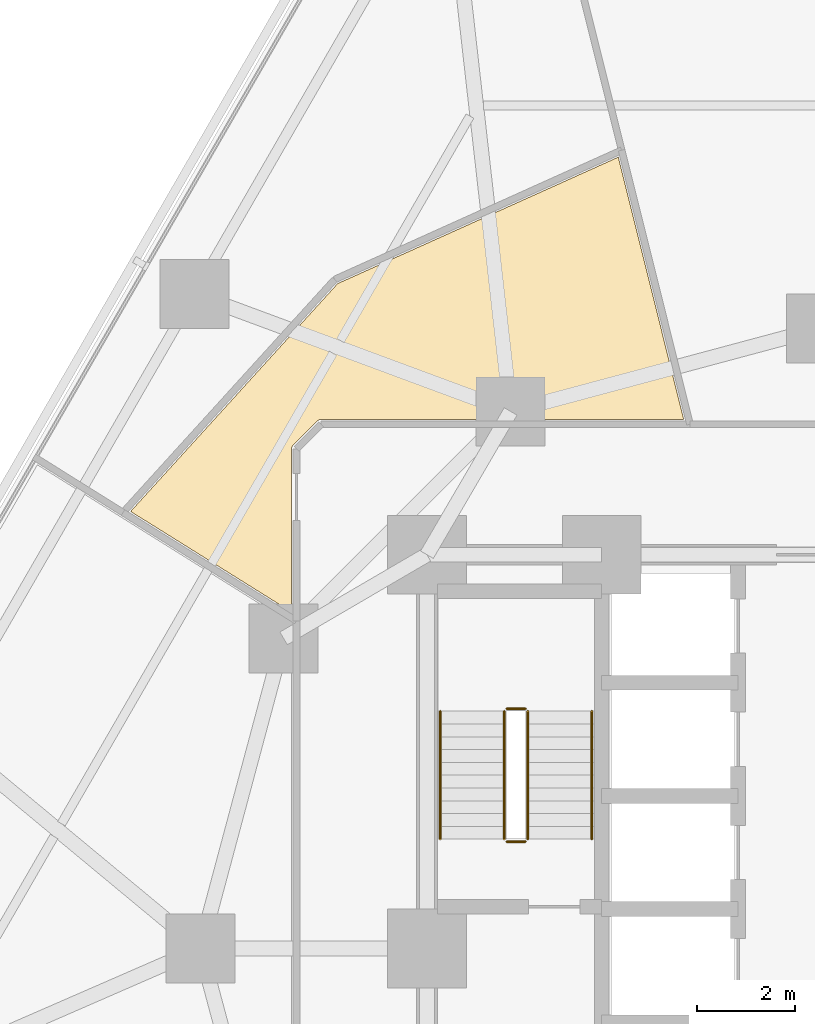
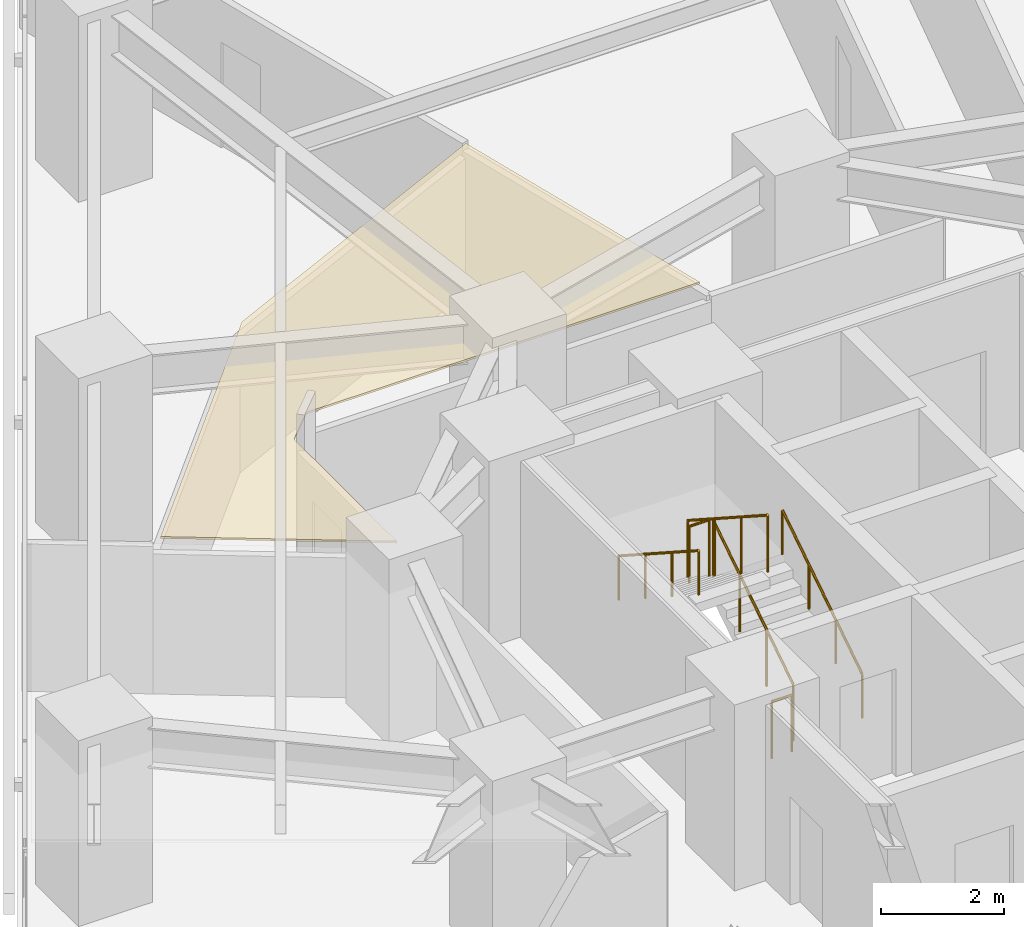
# One storey, part 13 of 15: 6 railings, 1 covering.
"""IFC4 building model written with IfcOpenShell, lengths in metres."""

from ifc_helpers import new_model, si_unit, direction, frame, origin, origin_2d, place, context, subcontext, project, spatial, polyline, circle, outline, extrude, material, layer, layer_set, type_object, element, save


model = new_model("IFC4")

# Units and contexts
model_context = context("Model", 3, precision=1e-05, world=origin(), true_north=direction((0.0, 1.0)))
body_context = subcontext(model_context, "Body", "Model", "MODEL_VIEW")
ifc_project = project(units=[si_unit("LENGTHUNIT", "METRE"), si_unit("AREAUNIT", "SQUARE_METRE"), si_unit("VOLUMEUNIT", "CUBIC_METRE"), si_unit("PLANEANGLEUNIT", "RADIAN"), si_unit("MASSUNIT", "GRAM", prefix="KILO")], contexts=[model_context])

# Site, building, storey
site_placement = place(None, origin())
site = spatial("IfcSite", under=ifc_project, at=site_placement, CompositionType="ELEMENT")
building_placement = place(site_placement, origin())
building = spatial("IfcBuilding", under=site, at=building_placement, Name="Terralouvre Media Tower", CompositionType="ELEMENT")
storey_placement = place(building_placement, frame((0.0, 0.0, 33.39990234375)))
storey = spatial("IfcBuildingStorey", under=building, at=storey_placement, Name="L07", CompositionType="ELEMENT", Elevation=33.39990234375)

# Covering
ifc_material_1 = material(Name="Perforated aluminium acoustic ceiling baffle", Category="aluminium")
ifc_layer_1 = layer(ifc_material_1, 0.0400390625, Name="Perforated Acoustic Metal Tile Ceiling CL-AC1")
ifc_layer_set_1 = layer_set([ifc_layer_1], Name="Perforated aluminium acoustic ceiling baffle")
covering_type = type_object("IfcCoveringType", Name="Perforated Acoustic Metal Tile Ceiling CL-AC1", PredefinedType="CEILING", material=ifc_layer_set_1)
covering_placement = place(storey_placement, frame((0.0, 0.0, 2.97998046875)))
element("IfcCovering", 1, at=covering_placement, inside=storey, type_object=covering_type, Name="L07 Anchor Green Lounge 10 Acoustic Ceiling", PredefinedType="CEILING", context=body_context, shape_type="SweptSolid", body=[
    extrude(outline(polyline([(-9.81494140625, 13.50830078125), (-14.0205078125, 8.87841796875), (-10.75, 6.83544921875), (-10.75, 10.14990234375), (-10.74951171875, 10.159912109375), (-10.748046875, 10.16943359375), (-10.74560546875, 10.178955078125), (-10.742431640625, 10.188232421875), (-10.73828125, 10.197021484375), (-10.733154296875, 10.20556640625), (-10.727294921875, 10.21337890625), (-10.720703125, 10.220703125), (-10.220703125, 10.720703125), (-10.21337890625, 10.727294921875), (-10.20556640625, 10.733154296875), (-10.197021484375, 10.73828125), (-10.188232421875, 10.742431640625), (-10.178955078125, 10.74560546875), (-10.16943359375, 10.748046875), (-10.159912109375, 10.74951171875), (-10.14990234375, 10.75), (-2.782958984375, 10.75), (-4.112060546875, 16.07763671875), (-9.81494140625, 13.50830078125)])), origin(), (0.0, 0.0, 1.0), 0.0400390625),
])

# Railings
ifc_material_2 = material(Name="Stainless steel 316 handrail and balustrade", Category="steel")
ifc_layer_2 = layer(ifc_material_2, 0.050048828125, Name="Stair Flight Wall Handrail HR-INT1")
ifc_layer_set_2 = layer_set([ifc_layer_2], Name="Stainless steel 316 handrail and balustrade")
railing_type_1 = type_object("IfcRailingType", Name="Stair Flight Wall Handrail HR-INT1", PredefinedType="HANDRAIL", material=ifc_layer_set_2)
railing_1_placement = place(storey_placement, frame((-4.64990234375, 2.219970703125, 0.168212890625)))
element("IfcRailing", 2, at=railing_1_placement, inside=storey, type_object=railing_type_1, Name="L07 ST-01 stair handrail 1", PredefinedType="HANDRAIL", context=body_context, shape_type="SweptSolid", body=[
    extrude(circle(Radius=0.02392578125, at=origin_2d()), frame((0.0, 0.0, 0.8759765625), z_axis=(0.0, 0.839648411786, 0.543130320075), x_axis=(-1.0, 0.0, 0.0)), (0.0, 0.0, 1.0), 3.0966796875),
    extrude(circle(Radius=0.02099609375, at=origin_2d()), origin(), (0.0, 0.0, 1.0), 0.851806640625),
    extrude(circle(Radius=0.02099609375, at=origin_2d()), frame((0.0, 0.86669921875, 0.560546875)), (0.0, 0.0, 1.0), 0.851806640625),
    extrude(circle(Radius=0.02099609375, at=origin_2d()), frame((0.0, 1.7333984375, 1.121337890625)), (0.0, 0.0, 1.0), 0.851806640625),
    extrude(circle(Radius=0.02099609375, at=origin_2d()), frame((0.0, 2.60009765625, 1.681884765625)), (0.0, 0.0, 1.0), 0.851806640625),
])
railing_2_placement = place(storey_placement, frame((-7.72998046875, 4.820068359375, 2.018310546875)))
element("IfcRailing", 3, at=railing_2_placement, inside=storey, type_object=railing_type_1, Name="L07 ST-01 stair handrail 2", PredefinedType="HANDRAIL", context=body_context, shape_type="SweptSolid", body=[
    extrude(circle(Radius=0.02392578125, at=origin_2d()), frame((0.0, 0.0, 0.8759765625), z_axis=(0.0, -0.839648411786, 0.543130320075), x_axis=(1.0, 0.0, 0.0)), (0.0, 0.0, 1.0), 3.0966796875),
    extrude(circle(Radius=0.02099609375, at=origin_2d()), origin(), (0.0, 0.0, 1.0), 0.851806640625),
    extrude(circle(Radius=0.02099609375, at=origin_2d()), frame((0.0, -0.86669921875, 0.560546875)), (0.0, 0.0, 1.0), 0.851806640625),
    extrude(circle(Radius=0.02099609375, at=origin_2d()), frame((0.0, -1.7333984375, 1.121337890625)), (0.0, 0.0, 1.0), 0.851806640625),
    extrude(circle(Radius=0.02099609375, at=origin_2d()), frame((0.0, -2.60009765625, 1.681884765625)), (0.0, 0.0, 1.0), 0.851806640625),
])
ifc_material_3 = material(Name="Stainless steel 316 handrail and balustrade", Category="steel")
ifc_layer_3 = layer(ifc_material_3, 0.050048828125, Name="Stairwell Safety Guardrail GR-INT1")
ifc_layer_set_3 = layer_set([ifc_layer_3], Name="Stainless steel 316 handrail and balustrade")
railing_type_2 = type_object("IfcRailingType", Name="Stairwell Safety Guardrail GR-INT1", PredefinedType="GUARDRAIL", material=ifc_layer_set_3)
railing_3_placement = place(storey_placement, frame((-5.949951171875, 2.219970703125, 0.168212890625)))
element("IfcRailing", 4, at=railing_3_placement, inside=storey, type_object=railing_type_2, Name="L07 ST-01 stair guard 1", PredefinedType="GUARDRAIL", context=body_context, shape_type="SweptSolid", body=[
    extrude(circle(Radius=0.02392578125, at=origin_2d()), frame((0.0, 0.0, 1.1259765625), z_axis=(0.0, 0.839648411786, 0.543130320075), x_axis=(-1.0, 0.0, 0.0)), (0.0, 0.0, 1.0), 3.0966796875),
    extrude(circle(Radius=0.02099609375, at=origin_2d()), origin(), (0.0, 0.0, 1.0), 1.101806640625),
    extrude(circle(Radius=0.02099609375, at=origin_2d()), frame((0.0, 0.86669921875, 0.560546875)), (0.0, 0.0, 1.0), 1.101806640625),
    extrude(circle(Radius=0.02099609375, at=origin_2d()), frame((0.0, 1.7333984375, 1.121337890625)), (0.0, 0.0, 1.0), 1.101806640625),
    extrude(circle(Radius=0.02099609375, at=origin_2d()), frame((0.0, 2.60009765625, 1.681884765625)), (0.0, 0.0, 1.0), 1.101806640625),
])
railing_4_placement = place(storey_placement, frame((-6.0, 4.8701171875, 1.85009765625)))
element("IfcRailing", 5, at=railing_4_placement, inside=storey, type_object=railing_type_2, Name="L07 ST-01 stair guard 2", PredefinedType="GUARDRAIL", context=body_context, shape_type="SweptSolid", body=[
    extrude(circle(Radius=0.02392578125, at=origin_2d()), frame((0.0, 0.0, 1.1259765625), z_axis=(-1.0, 0.0, 0.0), x_axis=(0.0, -1.0, 0.0)), (0.0, 0.0, 1.0), 0.3798828125),
    extrude(circle(Radius=0.02099609375, at=origin_2d()), origin(), (0.0, 0.0, 1.0), 1.101806640625),
    extrude(circle(Radius=0.02099609375, at=origin_2d()), frame((-0.3798828125, 0.0, 0.0)), (0.0, 0.0, 1.0), 1.101806640625),
])
railing_5_placement = place(storey_placement, frame((-6.429931640625, 4.820068359375, 2.018310546875)))
element("IfcRailing", 6, at=railing_5_placement, inside=storey, type_object=railing_type_2, Name="L07 ST-01 stair guard 3", PredefinedType="GUARDRAIL", context=body_context, shape_type="SweptSolid", body=[
    extrude(circle(Radius=0.02392578125, at=origin_2d()), frame((0.0, 0.0, 1.1259765625), z_axis=(0.0, -0.839648411786, 0.543130320075), x_axis=(1.0, 0.0, 0.0)), (0.0, 0.0, 1.0), 3.0966796875),
    extrude(circle(Radius=0.02099609375, at=origin_2d()), origin(), (0.0, 0.0, 1.0), 1.101806640625),
    extrude(circle(Radius=0.02099609375, at=origin_2d()), frame((0.0, -0.86669921875, 0.560546875)), (0.0, 0.0, 1.0), 1.101806640625),
    extrude(circle(Radius=0.02099609375, at=origin_2d()), frame((0.0, -1.7333984375, 1.121337890625)), (0.0, 0.0, 1.0), 1.101806640625),
    extrude(circle(Radius=0.02099609375, at=origin_2d()), frame((0.0, -2.60009765625, 1.681884765625)), (0.0, 0.0, 1.0), 1.101806640625),
])
railing_6_placement = place(storey_placement, frame((-6.0, 2.169921875, 0.0)))
element("IfcRailing", 7, at=railing_6_placement, inside=storey, type_object=railing_type_2, Name="L07 ST-01 stair guard 4", PredefinedType="GUARDRAIL", context=body_context, shape_type="SweptSolid", body=[
    extrude(circle(Radius=0.02392578125, at=origin_2d()), frame((0.0, 0.0, 1.1259765625), z_axis=(-1.0, 0.0, 0.0), x_axis=(0.0, -1.0, 0.0)), (0.0, 0.0, 1.0), 0.3798828125),
    extrude(circle(Radius=0.02099609375, at=origin_2d()), origin(), (0.0, 0.0, 1.0), 1.101806640625),
    extrude(circle(Radius=0.02099609375, at=origin_2d()), frame((-0.3798828125, 0.0, 0.0)), (0.0, 0.0, 1.0), 1.101806640625),
])

save(model, "model.ifc")
